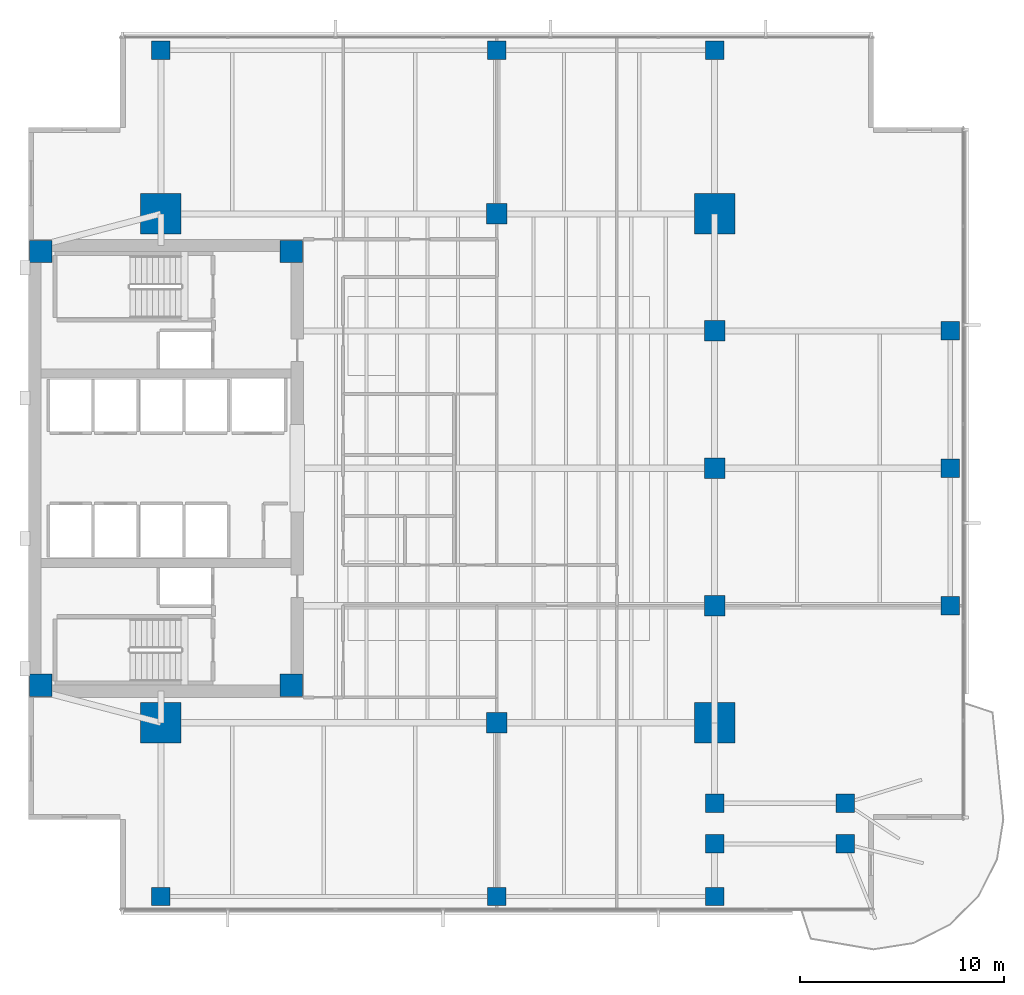
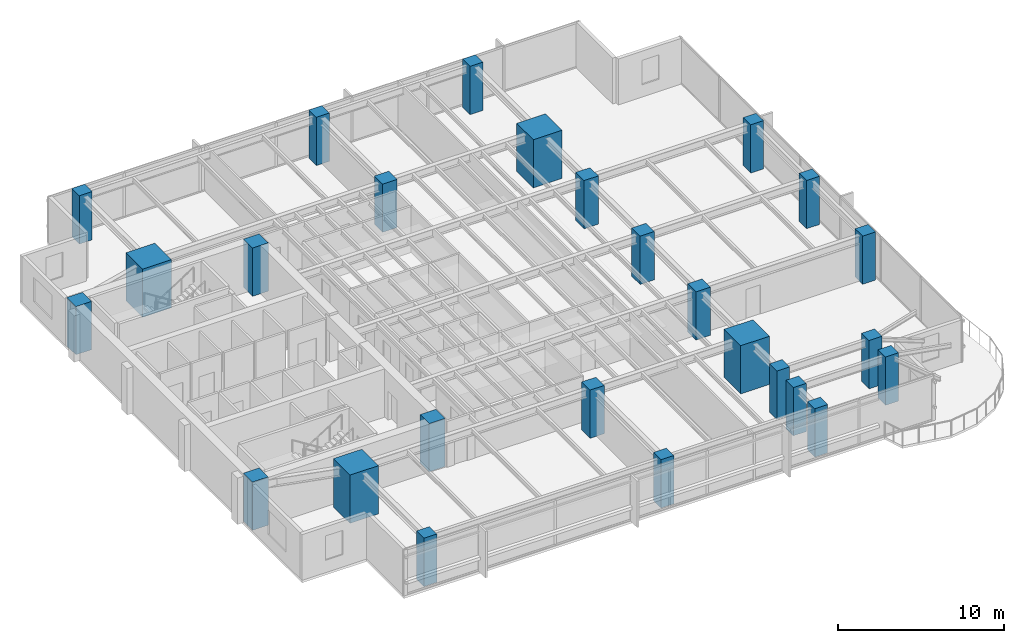
# One storey, part 1 of 14: 26 columns.
"""IFC4 building model written with IfcOpenShell, lengths in metres."""

from ifc_helpers import new_model, si_unit, direction, frame, origin, origin_2d, place, context, subcontext, project, spatial, rectangle, extrude, material, material_profile, profile_set, type_object, element, save


model = new_model("IFC4")

# Units and contexts
model_context = context("Model", 3, precision=1e-05, world=origin(), true_north=direction((0.0, 1.0)))
body_context = subcontext(model_context, "Body", "Model", "MODEL_VIEW")
ifc_project = project(units=[si_unit("LENGTHUNIT", "METRE"), si_unit("AREAUNIT", "SQUARE_METRE"), si_unit("VOLUMEUNIT", "CUBIC_METRE"), si_unit("PLANEANGLEUNIT", "RADIAN"), si_unit("MASSUNIT", "GRAM", prefix="KILO")], contexts=[model_context])

# Site, building, storey
site_placement = place(None, origin())
site = spatial("IfcSite", under=ifc_project, at=site_placement, CompositionType="ELEMENT")
building_placement = place(site_placement, origin())
building = spatial("IfcBuilding", under=site, at=building_placement, Name="Kinhvarn Gate Tower", CompositionType="ELEMENT")
storey_placement = place(building_placement, frame((0.0, 0.0, 141.300048828125)))
storey = spatial("IfcBuildingStorey", under=building, at=storey_placement, Name="L37", CompositionType="ELEMENT", Elevation=141.300048828125)

# Columns
ifc_material = material(Name="Concrete C60/75", Category="concrete")
ifc_material_profile_1 = material_profile(ifc_material, rectangle(XDim=2.0, YDim=2.0, at=origin_2d()), Name="RC 2000x2000")
ifc_profile_set_1 = profile_set([ifc_material_profile_1], Name="Concrete C60/75")
column_type_1 = type_object("IfcColumnType", Name="COL-MC-2000", PredefinedType="COLUMN", material=ifc_profile_set_1)
for number, where, z_axis, x_axis, name in (
    (1, (11.0, 12.75, 0.0), (0.0, 0.0, 1.0), (1.0, 0.0, 0.0), "Column MC1-L37 (MC-20)"),
    (2, (11.0, 37.75, 0.0), (0.0, 0.0, 1.0), (1.0, 0.0, 0.0), "Column MC4-L37 (MC-20)"),
    (3, (38.199951171875, 12.75, 0.0), (0.0, 0.0, 1.0), (1.0, 0.0, 0.0), "Column MC2-L37 (MC-20)"),
    (4, (38.199951171875, 37.75, 0.0), (0.0, 0.0, 1.0), (1.0, 0.0, 0.0), "Column MC3-L37 (MC-20)"),
):
    element("IfcColumn", number, at=place(storey_placement, frame(where, z_axis=z_axis, x_axis=x_axis)), inside=storey, type_object=column_type_1, Name=name, PredefinedType="COLUMN", context=body_context, shape_type="SweptSolid", body=[
        extrude(rectangle(XDim=2.0, YDim=2.0, at=origin_2d()), origin(), (0.0, 0.0, 1.0), 3.550048828125),
    ])
ifc_material_profile_2 = material_profile(ifc_material, rectangle(XDim=1.0, YDim=1.0, at=origin_2d()), Name="RC 1000x1000")
ifc_profile_set_2 = profile_set([ifc_material_profile_2], Name="Concrete C60/75")
column_type_2 = type_object("IfcColumnType", Name="COL-RC-1000", PredefinedType="COLUMN", material=ifc_profile_set_2)
for number, where, z_axis, x_axis, name in (
    (5, (27.5, 12.75, 0.0), (0.0, 0.0, 1.0), (1.0, 0.0, 0.0), "Column SP27-S-L37 (C-100)"),
    (6, (27.5, 37.75, 0.0), (0.0, 0.0, 1.0), (1.0, 0.0, 0.0), "Column SP27-N-L37 (C-100)"),
    (7, (38.199951171875, 18.5, 0.0), (0.0, 0.0, 1.0), (1.0, 0.0, 0.0), "Column SP38-E1-L37 (C-100)"),
    (8, (38.199951171875, 25.25, 0.0), (0.0, 0.0, 1.0), (1.0, 0.0, 0.0), "Column SP38-E2-L37 (C-100)"),
    (9, (38.199951171875, 32.0, 0.0), (0.0, 0.0, 1.0), (1.0, 0.0, 0.0), "Column SP38-E3-L37 (C-100)"),
):
    element("IfcColumn", number, at=place(storey_placement, frame(where, z_axis=z_axis, x_axis=x_axis)), inside=storey, type_object=column_type_2, Name=name, PredefinedType="COLUMN", context=body_context, shape_type="SweptSolid", body=[
        extrude(rectangle(XDim=1.0, YDim=1.0, at=origin_2d()), origin(), (0.0, 0.0, 1.0), 3.550048828125),
    ])
ifc_material_profile_3 = material_profile(ifc_material, rectangle(XDim=0.89990234375, YDim=0.89990234375, at=origin_2d()), Name="RC 900x900")
ifc_profile_set_3 = profile_set([ifc_material_profile_3], Name="Concrete C60/75")
column_type_3 = type_object("IfcColumnType", Name="COL-RC-900", PredefinedType="COLUMN", material=ifc_profile_set_3)
for number, where, z_axis, x_axis, name in (
    (10, (38.199951171875, 6.800048828125, 0.0), (0.0, 0.0, 1.0), (1.0, 0.0, 0.0), "Column CS-ANC68-L37 (C-090)"),
    (11, (38.199951171875, 8.800048828125, 0.0), (0.0, 0.0, 1.0), (1.0, 0.0, 0.0), "Column CS-ANC88-L37 (C-090)"),
    (12, (44.6201171875, 6.800048828125, 0.0), (0.0, 0.0, 1.0), (1.0, 0.0, 0.0), "Column CS-SE2-L37 (C-090)"),
    (13, (44.6201171875, 8.800048828125, 0.0), (0.0, 0.0, 1.0), (1.0, 0.0, 0.0), "Column CS-SE2B-L37 (C-090)"),
    (14, (49.780029296875, 18.5, 0.0), (0.0, 0.0, 1.0), (1.0, 0.0, 0.0), "Column CE-1-L37 (C-090)"),
    (15, (49.780029296875, 25.25, 0.0), (0.0, 0.0, 1.0), (1.0, 0.0, 0.0), "Column CE-2-L37 (C-090)"),
    (16, (49.780029296875, 32.0, 0.0), (0.0, 0.0, 1.0), (1.0, 0.0, 0.0), "Column CE-3-L37 (C-090)"),
    (17, (11.0, 4.219970703125, 0.0), (0.0, 0.0, 1.0), (1.0, 0.0, 0.0), "Column CS-0-L37 (C-090)"),
    (18, (27.5, 4.219970703125, 0.0), (0.0, 0.0, 1.0), (1.0, 0.0, 0.0), "Column CS-1-L37 (C-090)"),
    (19, (38.199951171875, 4.219970703125, 0.0), (0.0, 0.0, 1.0), (1.0, 0.0, 0.0), "Column CS-2-L37 (C-090)"),
    (20, (11.0, 45.780029296875, 0.0), (0.0, 0.0, 1.0), (1.0, 0.0, 0.0), "Column CN-0-L37 (C-090)"),
    (21, (27.5, 45.780029296875, 0.0), (0.0, 0.0, 1.0), (1.0, 0.0, 0.0), "Column CN-1-L37 (C-090)"),
    (22, (38.199951171875, 45.780029296875, 0.0), (0.0, 0.0, 1.0), (1.0, 0.0, 0.0), "Column CN-2-L37 (C-090)"),
):
    element("IfcColumn", number, at=place(storey_placement, frame(where, z_axis=z_axis, x_axis=x_axis)), inside=storey, type_object=column_type_3, Name=name, PredefinedType="COLUMN", context=body_context, shape_type="SweptSolid", body=[
        extrude(rectangle(XDim=0.89990234375, YDim=0.89990234375, at=origin_2d()), origin(), (0.0, 0.0, 1.0), 3.550048828125),
    ])
ifc_material_profile_4 = material_profile(ifc_material, rectangle(XDim=1.10009765625, YDim=1.10009765625, at=origin_2d()), Name="RC 1100x1100")
ifc_profile_set_4 = profile_set([ifc_material_profile_4], Name="Concrete C60/75")
column_type_4 = type_object("IfcColumnType", Name="PIL-RC-1100", PredefinedType="PILASTER", material=ifc_profile_set_4)
for number, where, z_axis, x_axis, name in (
    (23, (5.10009765625, 14.60009765625, 0.0), (0.0, 0.0, 1.0), (1.0, 0.0, 0.0), "Column CC-SW-L37 (CP-110)"),
    (24, (5.10009765625, 35.89990234375, 0.0), (0.0, 0.0, 1.0), (1.0, 0.0, 0.0), "Column CC-NW-L37 (CP-110)"),
    (25, (17.39990234375, 14.60009765625, 0.0), (0.0, 0.0, 1.0), (1.0, 0.0, 0.0), "Column CC-SE-L37 (CP-110)"),
    (26, (17.39990234375, 35.89990234375, 0.0), (0.0, 0.0, 1.0), (1.0, 0.0, 0.0), "Column CC-NE-L37 (CP-110)"),
):
    element("IfcColumn", number, at=place(storey_placement, frame(where, z_axis=z_axis, x_axis=x_axis)), inside=storey, type_object=column_type_4, Name=name, PredefinedType="PILASTER", context=body_context, shape_type="SweptSolid", body=[
        extrude(rectangle(XDim=1.10009765625, YDim=1.10009765625, at=origin_2d()), origin(), (0.0, 0.0, 1.0), 3.550048828125),
    ])

save(model, "model.ifc")
